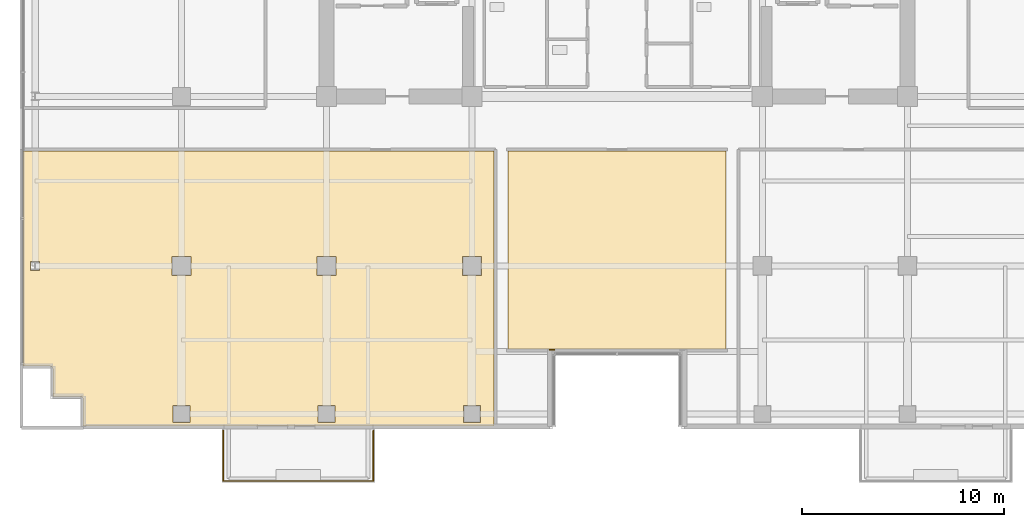
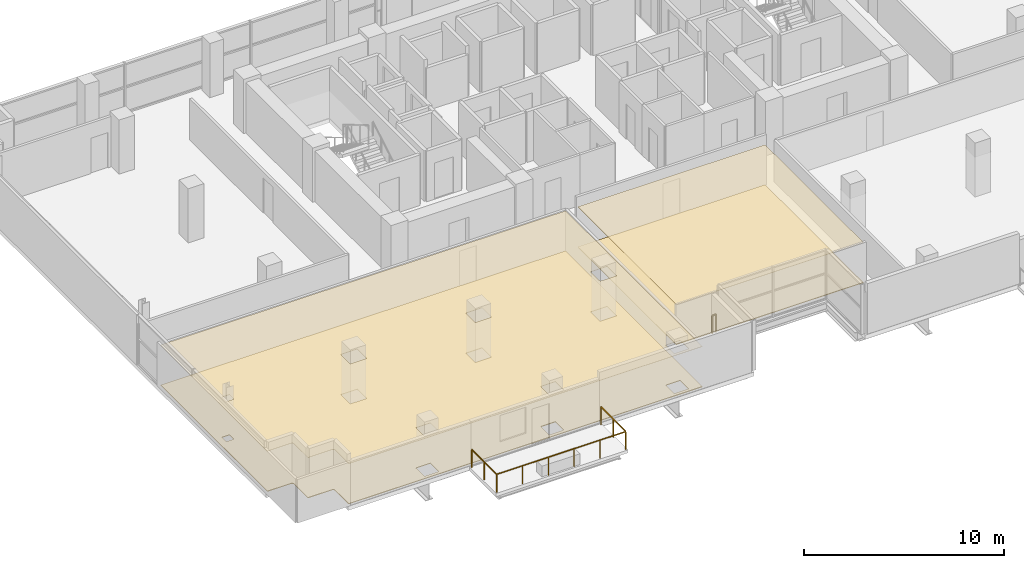
# One storey, part 23 of 27: 4 coverings, 2 railings.
"""IFC4 building model written with IfcOpenShell, lengths in metres."""

from ifc_helpers import new_model, si_unit, direction, frame, origin, origin_2d, place, context, subcontext, project, spatial, polyline, rectangle, outline, extrude, material, layer, layer_set, type_object, element, save


model = new_model("IFC4")

# Units and contexts
model_context = context("Model", 3, precision=1e-05, world=origin(), true_north=direction((0.0, 1.0)))
body_context = subcontext(model_context, "Body", "Model", "MODEL_VIEW")
ifc_project = project(units=[si_unit("LENGTHUNIT", "METRE"), si_unit("AREAUNIT", "SQUARE_METRE"), si_unit("VOLUMEUNIT", "CUBIC_METRE"), si_unit("PLANEANGLEUNIT", "RADIAN"), si_unit("MASSUNIT", "GRAM", prefix="KILO")], contexts=[model_context])

# Site, building, storey
site_placement = place(None, origin())
site = spatial("IfcSite", under=ifc_project, at=site_placement, CompositionType="ELEMENT")
building_placement = place(site_placement, origin())
building = spatial("IfcBuilding", under=site, at=building_placement, Name="Zarnakvel Exchange Tower", CompositionType="ELEMENT")
storey_placement = place(building_placement, frame((0.0, 0.0, 86.800048828125)))
storey = spatial("IfcBuildingStorey", under=building, at=storey_placement, Name="L23", CompositionType="ELEMENT", Elevation=86.800048828125)

# Coverings
ifc_material_1 = material(Name="Perforated Bronze Acoustic Metal Ceiling", Category="aluminium")
ifc_layer_1 = layer(ifc_material_1, 0.02001953125)
ifc_layer_set_1 = layer_set([ifc_layer_1], Name="Perforated Bronze Acoustic Metal Ceiling")
covering_type_1 = type_object("IfcCoveringType", Name="CLG-01", PredefinedType="CEILING", material=ifc_layer_set_1)
covering_1_placement = place(storey_placement, frame((0.0, 0.0, 2.454833984375)))
element("IfcCovering", 1, at=covering_1_placement, inside=storey, type_object=covering_type_1, Name="L23 Suspended Acoustic Ceiling (Sky Lobby Concourse)", PredefinedType="CEILING", context=body_context, shape_type="SweptSolid", body=[
    extrude(outline(polyline([(-6.10009765625, -3.909912109375), (-6.10009765625, -17.550048828125), (-26.47998046875, -17.550048828125), (-26.47998046875, -16.199951171875), (-26.48046875, -16.188232421875), (-26.482421875, -16.176513671875), (-26.485107421875, -16.165283203125), (-26.489013671875, -16.154052734375), (-26.494140625, -16.143310546875), (-26.500244140625, -16.13330078125), (-26.50732421875, -16.123779296875), (-26.51513671875, -16.115234375), (-26.52392578125, -16.107177734375), (-26.533447265625, -16.100341796875), (-26.54345703125, -16.09423828125), (-26.55419921875, -16.089111328125), (-26.565185546875, -16.085205078125), (-26.57666015625, -16.082275390625), (-26.588134765625, -16.08056640625), (-26.60009765625, -16.080078125), (-27.97998046875, -16.080078125), (-27.97998046875, -14.699951171875), (-27.98046875, -14.688232421875), (-27.982421875, -14.676513671875), (-27.985107421875, -14.665283203125), (-27.989013671875, -14.654052734375), (-27.994140625, -14.643310546875), (-28.000244140625, -14.63330078125), (-28.00732421875, -14.623779296875), (-28.01513671875, -14.615234375), (-28.02392578125, -14.607177734375), (-28.033447265625, -14.600341796875), (-28.04345703125, -14.59423828125), (-28.05419921875, -14.589111328125), (-28.065185546875, -14.585205078125), (-28.07666015625, -14.582275390625), (-28.088134765625, -14.58056640625), (-28.10009765625, -14.580078125), (-29.449951171875, -14.580078125), (-29.449951171875, -3.909912109375), (-6.10009765625, -3.909912109375)]), holes=[polyline([(-7.669921875, -10.070068359375), (-6.72998046875, -10.070068359375), (-6.72998046875, -9.1298828125), (-7.669921875, -9.1298828125), (-7.669921875, -10.070068359375)]), polyline([(-6.780029296875, -17.3701171875), (-6.780029296875, -16.530029296875), (-7.6201171875, -16.530029296875), (-7.6201171875, -17.3701171875), (-6.780029296875, -17.3701171875)]), polyline([(-13.929931640625, -10.070068359375), (-13.929931640625, -9.1298828125), (-14.8701171875, -9.1298828125), (-14.8701171875, -10.070068359375), (-13.929931640625, -10.070068359375)]), polyline([(-13.97998046875, -17.3701171875), (-13.97998046875, -16.530029296875), (-14.820068359375, -16.530029296875), (-14.820068359375, -17.3701171875), (-13.97998046875, -17.3701171875)]), polyline([(-21.1298828125, -10.070068359375), (-21.1298828125, -9.1298828125), (-22.070068359375, -9.1298828125), (-22.070068359375, -10.070068359375), (-21.1298828125, -10.070068359375)]), polyline([(-21.179931640625, -17.3701171875), (-21.179931640625, -16.530029296875), (-22.02001953125, -16.530029296875), (-22.02001953125, -17.3701171875), (-21.179931640625, -17.3701171875)]), polyline([(-29.072021484375, -9.823486328125), (-28.6279296875, -9.823486328125), (-28.6279296875, -9.37646484375), (-29.072021484375, -9.37646484375), (-29.072021484375, -9.823486328125)])]), origin(), (0.0, 0.0, 1.0), 0.02001953125),
])
covering_2_placement = place(storey_placement, frame((0.0, 0.0, 2.454833984375)))
element("IfcCovering", 2, at=covering_2_placement, inside=storey, type_object=covering_type_1, Name="L23 Suspended Acoustic Ceiling (Observation Lounge)", PredefinedType="CEILING", context=body_context, shape_type="SweptSolid", body=[
    extrude(outline(polyline([(-5.39990234375, -3.909912109375), (5.39990234375, -3.909912109375), (5.39990234375, -13.719970703125), (-5.39990234375, -13.719970703125), (-5.39990234375, -3.909912109375)])), origin(), (0.0, 0.0, 1.0), 0.02001953125),
])
ifc_material_2 = material(Name="Heavy-Duty Raised Access Floor Panel", Category="steel")
ifc_layer_2 = layer(ifc_material_2, 0.034912109375)
ifc_layer_set_2 = layer_set([ifc_layer_2], Name="Heavy-Duty Raised Access Floor Panel")
covering_type_2 = type_object("IfcCoveringType", Name="FLR-02", PredefinedType="FLOORING", material=ifc_layer_set_2)
covering_3_placement = place(storey_placement, origin())
element("IfcCovering", 3, at=covering_3_placement, inside=storey, type_object=covering_type_2, Name="L23 Floor Finish (Sky Lobby Concourse)", PredefinedType="FLOORING", context=body_context, shape_type="SweptSolid", body=[
    extrude(outline(polyline([(-6.10009765625, -3.909912109375), (-6.10009765625, -17.550048828125), (-26.47998046875, -17.550048828125), (-26.47998046875, -16.199951171875), (-26.48046875, -16.188232421875), (-26.482421875, -16.176513671875), (-26.485107421875, -16.165283203125), (-26.489013671875, -16.154052734375), (-26.494140625, -16.143310546875), (-26.500244140625, -16.13330078125), (-26.50732421875, -16.123779296875), (-26.51513671875, -16.115234375), (-26.52392578125, -16.107177734375), (-26.533447265625, -16.100341796875), (-26.54345703125, -16.09423828125), (-26.55419921875, -16.089111328125), (-26.565185546875, -16.085205078125), (-26.57666015625, -16.082275390625), (-26.588134765625, -16.08056640625), (-26.60009765625, -16.080078125), (-27.97998046875, -16.080078125), (-27.97998046875, -14.699951171875), (-27.98046875, -14.688232421875), (-27.982421875, -14.676513671875), (-27.985107421875, -14.665283203125), (-27.989013671875, -14.654052734375), (-27.994140625, -14.643310546875), (-28.000244140625, -14.63330078125), (-28.00732421875, -14.623779296875), (-28.01513671875, -14.615234375), (-28.02392578125, -14.607177734375), (-28.033447265625, -14.600341796875), (-28.04345703125, -14.59423828125), (-28.05419921875, -14.589111328125), (-28.065185546875, -14.585205078125), (-28.07666015625, -14.582275390625), (-28.088134765625, -14.58056640625), (-28.10009765625, -14.580078125), (-29.449951171875, -14.580078125), (-29.449951171875, -3.909912109375), (-6.10009765625, -3.909912109375)]), holes=[polyline([(-7.669921875, -10.070068359375), (-6.72998046875, -10.070068359375), (-6.72998046875, -9.1298828125), (-7.669921875, -9.1298828125), (-7.669921875, -10.070068359375)]), polyline([(-6.780029296875, -17.3701171875), (-6.780029296875, -16.530029296875), (-7.6201171875, -16.530029296875), (-7.6201171875, -17.3701171875), (-6.780029296875, -17.3701171875)]), polyline([(-13.929931640625, -10.070068359375), (-13.929931640625, -9.1298828125), (-14.8701171875, -9.1298828125), (-14.8701171875, -10.070068359375), (-13.929931640625, -10.070068359375)]), polyline([(-13.97998046875, -17.3701171875), (-13.97998046875, -16.530029296875), (-14.820068359375, -16.530029296875), (-14.820068359375, -17.3701171875), (-13.97998046875, -17.3701171875)]), polyline([(-21.1298828125, -10.070068359375), (-21.1298828125, -9.1298828125), (-22.070068359375, -9.1298828125), (-22.070068359375, -10.070068359375), (-21.1298828125, -10.070068359375)]), polyline([(-21.179931640625, -17.3701171875), (-21.179931640625, -16.530029296875), (-22.02001953125, -16.530029296875), (-22.02001953125, -17.3701171875), (-21.179931640625, -17.3701171875)]), polyline([(-29.072021484375, -9.823486328125), (-28.6279296875, -9.823486328125), (-28.6279296875, -9.37646484375), (-29.072021484375, -9.37646484375), (-29.072021484375, -9.823486328125)])]), origin(), (0.0, 0.0, 1.0), 0.034912109375),
])
covering_4_placement = place(storey_placement, origin())
element("IfcCovering", 4, at=covering_4_placement, inside=storey, type_object=covering_type_2, Name="L23 Floor Finish (Observation Lounge)", PredefinedType="FLOORING", context=body_context, shape_type="SweptSolid", body=[
    extrude(outline(polyline([(-5.39990234375, -3.909912109375), (5.39990234375, -3.909912109375), (5.39990234375, -13.719970703125), (-5.39990234375, -13.719970703125), (-5.39990234375, -3.909912109375)])), origin(), (0.0, 0.0, 1.0), 0.034912109375),
])

# Railings
ifc_material_3 = material(Name="Architectural Bronze Anodised Aluminium", Category="aluminium")
railing_type = type_object("IfcRailingType", Name="GR-02", PredefinedType="GUARDRAIL", material=ifc_material_3)
railing_1_placement = place(storey_placement, frame((-19.52001953125, -17.780029296875, -0.06005859375)))
element("IfcRailing", 5, at=railing_1_placement, inside=storey, type_object=railing_type, Name="L23 Balcony Guardrail BAL-L23-SW", PredefinedType="GUARDRAIL", context=body_context, shape_type="SweptSolid", body=[
    extrude(rectangle(XDim=0.048095703125, YDim=0.048095703125, at=origin_2d()), frame((0.0, 0.0, 1.09619140625), z_axis=(0.0, -1.0, 0.0), x_axis=(1.0, 0.0, 0.0)), (0.0, 0.0, 1.0), 2.489990234375),
    extrude(rectangle(XDim=0.048095703125, YDim=0.048095703125, at=origin_2d()), frame((0.0, -2.489990234375, 1.09619140625), z_axis=(1.0, 0.0, 0.0), x_axis=(0.0, 1.0, 0.0)), (0.0, 0.0, 1.0), 7.43994140625),
    extrude(rectangle(XDim=0.048095703125, YDim=0.048095703125, at=origin_2d()), frame((7.43994140625, -2.489990234375, 1.09619140625), z_axis=(0.0, 1.0, 0.0), x_axis=(-1.0, 0.0, 0.0)), (0.0, 0.0, 1.0), 2.489990234375),
    extrude(rectangle(XDim=0.0419921875, YDim=0.0419921875, at=origin_2d()), origin(), (0.0, 0.0, 1.0), 1.072021484375),
    extrude(rectangle(XDim=0.0419921875, YDim=0.0419921875, at=origin_2d()), frame((0.0, -1.2451171875, 0.0)), (0.0, 0.0, 1.0), 1.072021484375),
    extrude(rectangle(XDim=0.0419921875, YDim=0.0419921875, at=origin_2d()), frame((0.0, -2.489990234375, 0.0)), (0.0, 0.0, 1.0), 1.072021484375),
    extrude(rectangle(XDim=0.0419921875, YDim=0.0419921875, at=origin_2d()), frame((1.488037109375, -2.489990234375, 0.0)), (0.0, 0.0, 1.0), 1.072021484375),
    extrude(rectangle(XDim=0.0419921875, YDim=0.0419921875, at=origin_2d()), frame((2.97607421875, -2.489990234375, 0.0)), (0.0, 0.0, 1.0), 1.072021484375),
    extrude(rectangle(XDim=0.0419921875, YDim=0.0419921875, at=origin_2d()), frame((4.4638671875, -2.489990234375, 0.0)), (0.0, 0.0, 1.0), 1.072021484375),
    extrude(rectangle(XDim=0.0419921875, YDim=0.0419921875, at=origin_2d()), frame((5.951904296875, -2.489990234375, 0.0)), (0.0, 0.0, 1.0), 1.072021484375),
    extrude(rectangle(XDim=0.0419921875, YDim=0.0419921875, at=origin_2d()), frame((7.43994140625, -2.489990234375, 0.0)), (0.0, 0.0, 1.0), 1.072021484375),
    extrude(rectangle(XDim=0.0419921875, YDim=0.0419921875, at=origin_2d()), frame((7.43994140625, -1.2451171875, 0.0)), (0.0, 0.0, 1.0), 1.072021484375),
    extrude(rectangle(XDim=0.0419921875, YDim=0.0419921875, at=origin_2d()), frame((7.43994140625, 0.0, 0.0)), (0.0, 0.0, 1.0), 1.072021484375),
])
railing_2_placement = place(storey_placement, frame((-3.1201171875, -13.760009765625, 0.0)))
element("IfcRailing", 6, at=railing_2_placement, inside=storey, type_object=railing_type, Name="L23 Corner Spandrel Balustrade #21", PredefinedType="GUARDRAIL", context=body_context, shape_type="SweptSolid", body=[
    extrude(rectangle(XDim=0.048095703125, YDim=0.048095703125, at=origin_2d()), frame((0.0, 0.0, 1.09619140625), z_axis=(-1.0, 0.0, 0.0), x_axis=(0.0, -1.0, 0.0)), (0.0, 0.0, 1.0), 0.219970703125),
    extrude(rectangle(XDim=0.0419921875, YDim=0.0419921875, at=origin_2d()), origin(), (0.0, 0.0, 1.0), 1.072021484375),
    extrude(rectangle(XDim=0.0419921875, YDim=0.0419921875, at=origin_2d()), frame((-0.219970703125, 0.0, 0.0)), (0.0, 0.0, 1.0), 1.072021484375),
])

save(model, "model.ifc")
